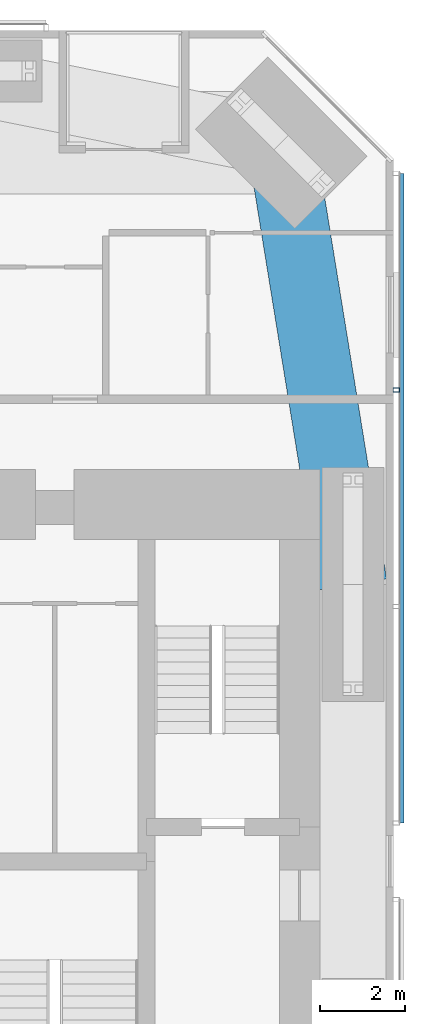
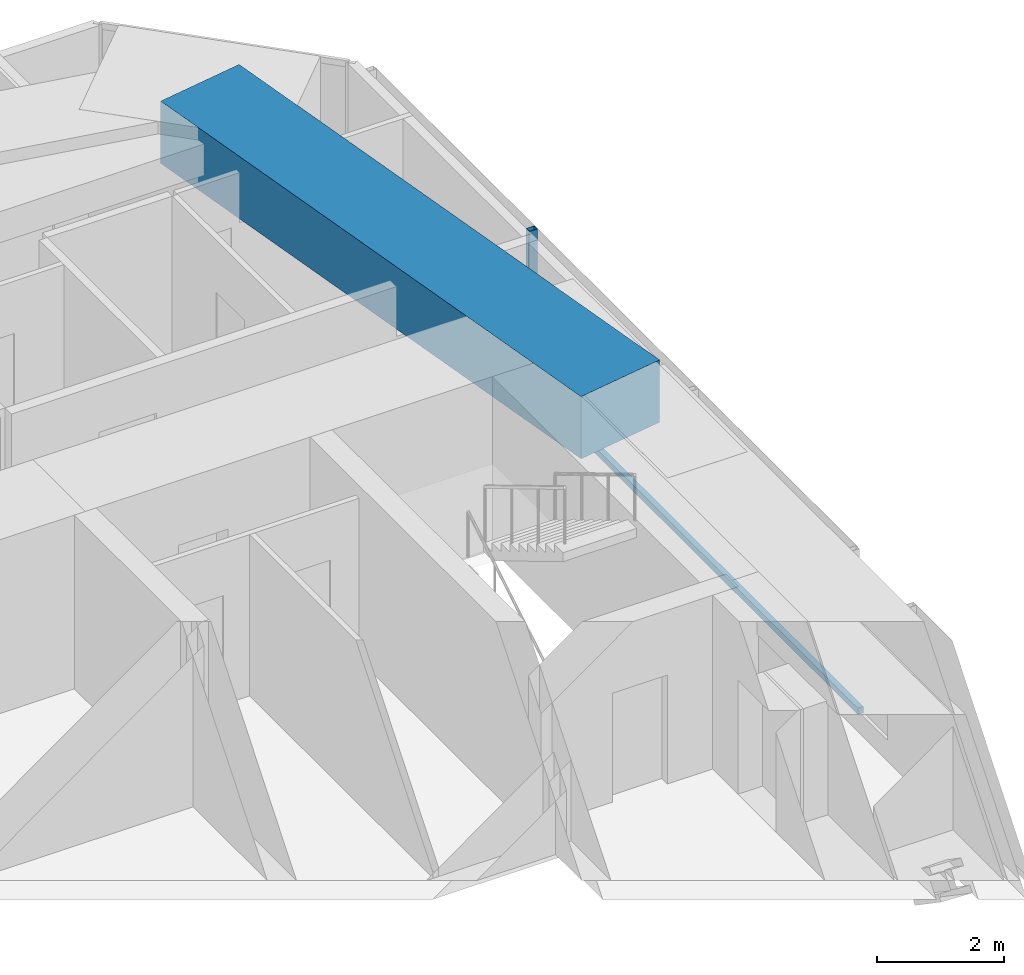
# One storey, part 11 of 24: 2 members, 1 beam, 1 element without a shape of its own.
"""IFC4 building model written with IfcOpenShell, lengths in metres."""

import ifcopenshell
import ifcopenshell.guid

model = None  # the IFC model being written
_history = None  # IfcOwnerHistory: only IFC2X3 demands one
_inside = {}  # id of a spatial element -> (the spatial element, [elements in it])
_under = {}  # id of a project, library or spatial element -> (it, [spatial elements below it])
_declared = {}  # id of a project -> (the project, [libraries it declares])
_typed = {}  # id of a type object -> (the type object, [elements of that type])
_made_of = {}  # id of a material, layer set ... -> (it, [elements and type objects made of it])


def new_model(schema):
    """Start an empty IFC model of exactly this schema.

    Asked for "IFC4X3", IfcOpenShell would pick the latest addendum, in which some entities
    have other attributes; the version numbers below select the first issue.
    IFC2X3 requires an IfcOwnerHistory on every rooted entity: one is made here for all.
    """
    global model, _history
    if schema == "IFC4X3":
        model = ifcopenshell.file(schema_version=(4, 3, 0, 0))
    else:
        model = ifcopenshell.file(schema=schema)
    _inside.clear()
    _under.clear()
    _declared.clear()
    _typed.clear()
    _made_of.clear()
    _history = None
    if model.schema == "IFC2X3":
        org = make("IfcOrganization", Name="unknown")
        user = make(
            "IfcPersonAndOrganization",
            ThePerson=make("IfcPerson", FamilyName="unknown"),
            TheOrganization=org,
        )
        app = make(
            "IfcApplication",
            ApplicationDeveloper=org,
            Version="unknown",
            ApplicationFullName="unknown",
            ApplicationIdentifier="unknown",
        )
        _history = make(
            "IfcOwnerHistory",
            OwningUser=user,
            OwningApplication=app,
            ChangeAction="ADDED",
            CreationDate=0,
        )
    return model


def make(cls, **values):
    """One entity of the class cls with the attributes given. An attribute that is None is left unset."""
    return model.create_entity(
        cls, **{name: value for name, value in values.items() if value is not None}
    )


def rooted(cls, **values):
    """An entity with a GlobalId (a new one), such as an element, a storey or a relation."""
    return make(cls, GlobalId=ifcopenshell.guid.new(), OwnerHistory=_history, **values)


def si_unit(unit_type, name, prefix=None):
    """IfcSIUnit, for example si_unit("LENGTHUNIT", "METRE", prefix="MILLI")."""
    return make("IfcSIUnit", UnitType=unit_type, Prefix=prefix, Name=name)


def assignment(units):
    """IfcUnitAssignment: the units of a project."""
    return None if units is None else make("IfcUnitAssignment", Units=units)


def point(xyz):
    """IfcCartesianPoint."""
    return None if xyz is None else make("IfcCartesianPoint", Coordinates=xyz)


def direction(xyz):
    """IfcDirection."""
    return None if xyz is None else make("IfcDirection", DirectionRatios=xyz)


def frame(location, z_axis=None, x_axis=None):
    """IfcAxis2Placement3D, a coordinate frame: its origin and axes. An axis left out is left unset."""
    return make(
        "IfcAxis2Placement3D",
        Location=point(location),
        Axis=direction(z_axis),
        RefDirection=direction(x_axis),
    )


def frame_2d(location, x_axis=None):
    """IfcAxis2Placement2D, a coordinate frame in the plane: its origin and x axis."""
    return make(
        "IfcAxis2Placement2D", Location=point(location), RefDirection=direction(x_axis)
    )


def origin():
    """The frame at (0, 0, 0) with its axes left unset."""
    return frame((0.0, 0.0, 0.0))


def origin_2d():
    """The frame at (0, 0) in the plane with its x axis left unset."""
    return frame_2d((0.0, 0.0))


def place(relative_to, where):
    """IfcLocalPlacement: puts the frame where relative to a parent placement (None: the world)."""
    return make(
        "IfcLocalPlacement", PlacementRelTo=relative_to, RelativePlacement=where
    )


def context(
    kind, dimensions, precision=None, world=None, true_north=None, identifier=None
):
    """IfcGeometricRepresentationContext, for example the 3D "Model" context."""
    return make(
        "IfcGeometricRepresentationContext",
        ContextIdentifier=identifier,
        ContextType=kind,
        CoordinateSpaceDimension=dimensions,
        Precision=precision,
        WorldCoordinateSystem=world,
        TrueNorth=true_north,
    )


def subcontext(parent, identifier, kind, view, scale=None):
    """IfcGeometricRepresentationSubContext, for example "Body" below "Model"."""
    return make(
        "IfcGeometricRepresentationSubContext",
        ContextIdentifier=identifier,
        ContextType=kind,
        ParentContext=parent,
        TargetScale=scale,
        TargetView=view,
    )


def project(units=None, contexts=None):
    """IfcProject with its units and contexts."""
    return rooted(
        "IfcProject",
        Name="project",
        RepresentationContexts=contexts,
        UnitsInContext=assignment(units),
    )


def spatial(cls, under=None, at=None, **own):
    """A site, building, storey or space (cls), placed at a placement, below another one or the project."""
    s = rooted(cls, ObjectPlacement=at, **own)
    if under is not None:
        _under.setdefault(under.id(), (under, []))[1].append(s)
    return s


def profile(cls, at=None, kind="AREA", **sizes):
    """A parametric profile (cls). Its sizes go by their IFC names, for example OverallWidth=200.0."""
    return make(cls, ProfileType=kind, Position=at, **sizes)


def rectangle(**sizes):
    """IfcRectangleProfileDef."""
    return profile("IfcRectangleProfileDef", **sizes)


def hollow_rectangle(**sizes):
    """IfcRectangleHollowProfileDef."""
    return profile("IfcRectangleHollowProfileDef", **sizes)


def extrude(swept, where, along, depth):
    """IfcExtrudedAreaSolid: the profile swept, set in the frame where, extruded along a direction by depth."""
    return make(
        "IfcExtrudedAreaSolid",
        SweptArea=swept,
        Position=where,
        ExtrudedDirection=direction(along),
        Depth=depth,
    )


def shape(context_of_items, identifier, shape_type, items):
    """IfcShapeRepresentation: the items that make up one representation, for example the "Body"."""
    return make(
        "IfcShapeRepresentation",
        ContextOfItems=context_of_items,
        RepresentationIdentifier=identifier,
        RepresentationType=shape_type,
        Items=items,
    )


def material(Name=None, Category=None):
    """IfcMaterial."""
    return make("IfcMaterial", Name=Name, Category=Category)


def material_profile(
    of_material, cross_section, Name=None, Category=None, Priority=None
):
    """IfcMaterialProfile: a cross section and its material."""
    return make(
        "IfcMaterialProfile",
        Name=Name,
        Material=of_material,
        Profile=cross_section,
        Priority=Priority,
        Category=Category,
    )


def profile_set(profiles, Name=None, composite=None):
    """IfcMaterialProfileSet."""
    return make(
        "IfcMaterialProfileSet",
        Name=Name,
        MaterialProfiles=profiles,
        CompositeProfile=composite,
    )


def made_of(thing, what):
    """Note that an element or type object is made of a material, layer set ...; save() writes the relation."""
    if what is not None:
        _made_of.setdefault(what.id(), (what, []))[1].append(thing)
    return thing


def type_object(cls, material=None, **own):
    """A type object (cls), such as IfcWallType, which elements share."""
    return made_of(rooted(cls, **own), material)


def element(
    cls,
    number,
    at=None,
    inside=None,
    cuts=None,
    type_object=None,
    material=None,
    context=None,
    identifier="Body",
    shape_type=None,
    held_by="IfcProductDefinitionShape",
    body=None,
    shapes=None,
    **own,
):
    """One element of the class cls, such as IfcWall. Its Tag is "e" and its number.

    at: its placement. inside: the storey or other place that contains it. cuts: it is an
    opening in that element (IfcRelVoidsElement). A single representation is given by context,
    identifier, shape_type and body (its items); several are given by shapes. held_by: the class
    of the entity that holds the representations. save() writes the other relations.
    """
    e = rooted(cls, Tag="e%d" % number, ObjectPlacement=at, **own)
    if body is not None:
        shapes = [shape(context, identifier, shape_type, body)]
    if shapes is not None:
        e.Representation = make(held_by, Representations=shapes)
    if inside is not None:
        _inside.setdefault(inside.id(), (inside, []))[1].append(e)
    if cuts is not None:
        rooted(
            "IfcRelVoidsElement", RelatingBuildingElement=cuts, RelatedOpeningElement=e
        )
    if type_object is not None:
        _typed.setdefault(type_object.id(), (type_object, []))[1].append(e)
    return made_of(e, material)


def aggregate(whole, parts):
    """IfcRelAggregates: a whole, such as a stair, and the parts it consists of."""
    return rooted("IfcRelAggregates", RelatingObject=whole, RelatedObjects=parts)


def save(model, path):
    """Write the relations noted so far, then the file.

    IfcRelAggregates (storeys below a building ...), IfcRelContainedInSpatialStructure (elements
    in a storey), IfcRelDefinesByType, IfcRelAssociatesMaterial and IfcRelDeclares: one each for
    every whole, place, type object, material and project.
    """
    for whole, parts in _under.values():
        aggregate(whole, parts)
    for where, things in _inside.values():
        rooted(
            "IfcRelContainedInSpatialStructure",
            RelatedElements=things,
            RelatingStructure=where,
        )
    for kind, things in _typed.values():
        rooted("IfcRelDefinesByType", RelatedObjects=things, RelatingType=kind)
    for what, things in _made_of.values():
        rooted("IfcRelAssociatesMaterial", RelatedObjects=things, RelatingMaterial=what)
    for by, libraries in _declared.values():
        rooted("IfcRelDeclares", RelatingContext=by, RelatedDefinitions=libraries)
    model.write(path)


model = new_model("IFC4")

# Units and contexts
model_context = context("Model", 3, precision=1e-05, world=origin(), true_north=direction((0.0, 1.0)))
body_context = subcontext(model_context, "Body", "Model", "MODEL_VIEW")
ifc_project = project(units=[si_unit("LENGTHUNIT", "METRE"), si_unit("AREAUNIT", "SQUARE_METRE"), si_unit("VOLUMEUNIT", "CUBIC_METRE"), si_unit("PLANEANGLEUNIT", "RADIAN"), si_unit("MASSUNIT", "GRAM", prefix="KILO")], contexts=[model_context])

# Site, building, storey
site_placement = place(None, origin())
site = spatial("IfcSite", under=ifc_project, at=site_placement, CompositionType="ELEMENT")
building_placement = place(site_placement, origin())
building = spatial("IfcBuilding", under=site, at=building_placement, Name="Jalousie Tower", CompositionType="ELEMENT")
storey_placement = place(building_placement, frame((0.0, 0.0, 51.14990234375)))
storey = spatial("IfcBuildingStorey", under=building, at=storey_placement, Name="L13", CompositionType="ELEMENT", Elevation=51.14990234375)

# Beam
ifc_material_1 = material(Name="Concrete f'c 40 MPa", Category="concrete")
ifc_material_profile_1 = material_profile(ifc_material_1, rectangle(XDim=1.60009765625, YDim=1.199951171875, at=origin_2d()), Name="RC 1600x1200")
ifc_profile_set_1 = profile_set([ifc_material_profile_1], Name="Concrete f'c 40 MPa")
beam_type = type_object("IfcBeamType", Name="RC BEAM 1600x1200", PredefinedType="BEAM", material=ifc_profile_set_1)
beam_placement = place(storey_placement, frame((45.050048828125, 25.0, 2.75), z_axis=(-0.160070546476, 0.987105577003, 0.0), x_axis=(-0.987105577003, -0.160070546476, 0.0)))
element("IfcBeam", 1, at=beam_placement, inside=storey, type_object=beam_type, Name="Edge band beam 07-08 under L14", PredefinedType="BEAM", context=body_context, shape_type="SweptSolid", body=[
    extrude(rectangle(XDim=1.60009765625, YDim=1.199951171875, at=origin_2d()), origin(), (0.0, 0.0, 1.0), 10.504150390625),
])

# Curtain wall, members
ifc_material_2 = material(Name="Perforated aluminium sheet", Category="aluminium")
curtain_wall_type = type_object("IfcCurtainWallType", Name="SOLAR SCREEN SS-1", PredefinedType="USERDEFINED", material=ifc_material_2)
curtain_wall_placement = place(storey_placement, origin())
curtain_wall = element("IfcCurtainWall", 2, at=curtain_wall_placement, inside=storey, type_object=curtain_wall_type, Name="Solar screen L13", ObjectType="SOLAR SCREEN SS-1", PredefinedType="USERDEFINED")
ifc_material_3 = material(Name="Steel ASTM A500 Grade C", Category="steel")
ifc_material_profile_2 = material_profile(ifc_material_3, hollow_rectangle(XDim=0.1015625, YDim=0.15234375, WallThickness=0.00634765625, at=origin_2d()), Name="HSS6X4X1/4")
ifc_profile_set_2 = profile_set([ifc_material_profile_2], Name="Steel ASTM A500 Grade C")
member_type_1 = type_object("IfcMemberType", Name="SOLAR SCREEN SS-1 MULLION", PredefinedType="MULLION", material=ifc_profile_set_2)
member_1_placement = place(storey_placement, frame((46.0712890625, 29.56591796875, -0.119873046875), z_axis=(0.0, 0.0, 1.0), x_axis=(0.0, 1.0, 0.0)))
member_1 = element("IfcMember", 3, at=member_1_placement, type_object=member_type_1, Name="SS1 post 3", PredefinedType="MULLION", context=body_context, shape_type="SweptSolid", body=[
    extrude(hollow_rectangle(XDim=0.1015625, YDim=0.15234375, WallThickness=0.00634765625, at=origin_2d()), origin(), (0.0, 0.0, 1.0), 3.22998046875),
])
ifc_material_4 = material(Name="Extruded aluminium screen rail", Category="aluminium")
ifc_material_profile_3 = material_profile(ifc_material_4, rectangle(XDim=0.1015625, YDim=0.1201171875, at=origin_2d()), Name="RAIL 102x120")
ifc_profile_set_3 = profile_set([ifc_material_profile_3], Name="Extruded aluminium screen rail")
member_type_2 = type_object("IfcMemberType", Name="SOLAR SCREEN SS-1 TRANSOM", PredefinedType="USERDEFINED", material=ifc_profile_set_3)
member_2_placement = place(storey_placement, frame((46.1982421875, 19.39990234375, -0.059814453125), z_axis=(0.0, 1.0, 0.0), x_axis=(-1.0, 0.0, 0.0)))
member_2 = element("IfcMember", 4, at=member_2_placement, type_object=member_type_2, Name="SS1 rail", ObjectType="TRANSOM", PredefinedType="USERDEFINED", context=body_context, shape_type="SweptSolid", body=[
    extrude(rectangle(XDim=0.1015625, YDim=0.1201171875, at=origin_2d()), origin(), (0.0, 0.0, 1.0), 15.248779296875),
])
aggregate(curtain_wall, [member_1, member_2])

save(model, "model.ifc")
